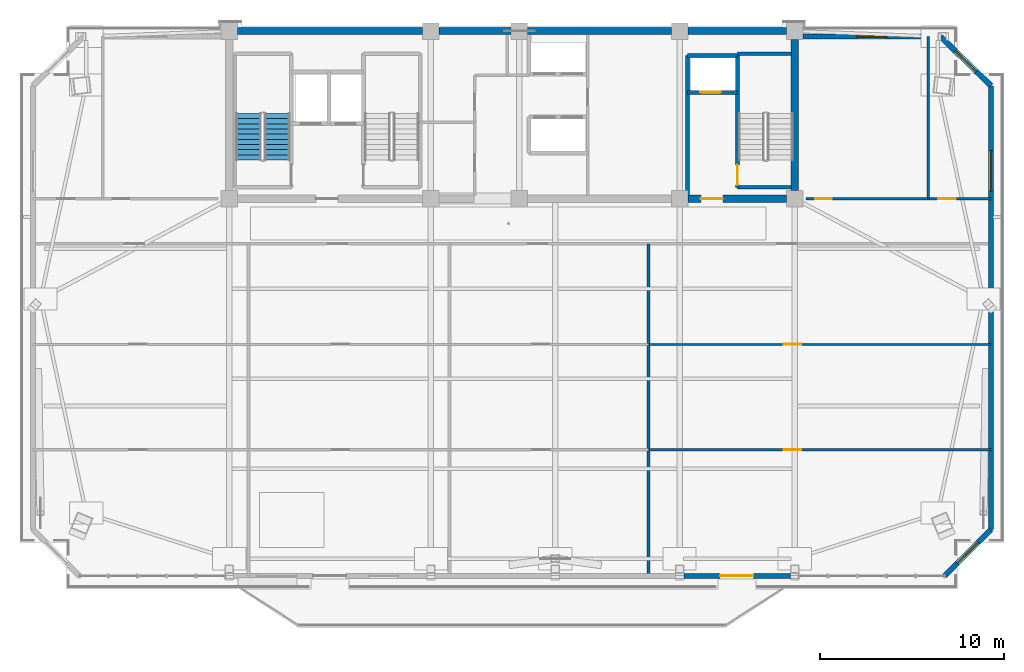
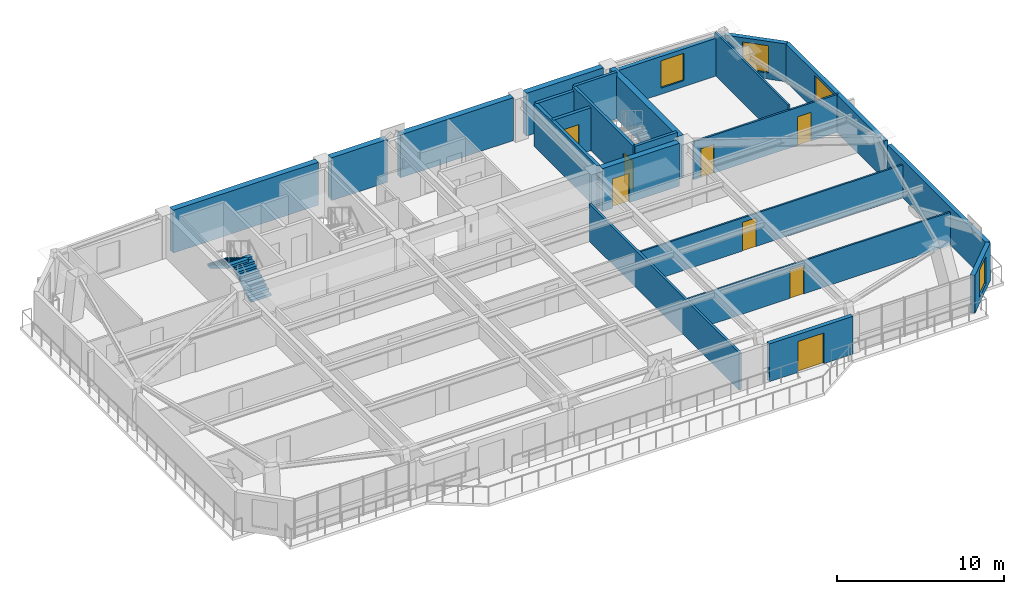
# One storey, part 10 of 15: 23 walls, 8 doors, 4 windows, 2 stair flights, 12 openings, 1 element without a shape of its own.
"""IFC4 building model written with IfcOpenShell, lengths in metres."""

from ifc_helpers import new_model, si_unit, direction, frame, frame_2d, origin, place, context, subcontext, project, spatial, polyline, rectangle, outline, extrude, source, transform, mapped, material, layer, layer_set, type_object, element, fill, aggregate, save


model = new_model("IFC4")

# Units and contexts
model_context = context("Model", 3, precision=1e-05, world=origin(), true_north=direction((0.0, 1.0)))
body_context = subcontext(model_context, "Body", "Model", "MODEL_VIEW")
ifc_project = project(units=[si_unit("LENGTHUNIT", "METRE"), si_unit("AREAUNIT", "SQUARE_METRE"), si_unit("VOLUMEUNIT", "CUBIC_METRE"), si_unit("PLANEANGLEUNIT", "RADIAN"), si_unit("MASSUNIT", "GRAM", prefix="KILO")], contexts=[model_context])

# Site, building, storey
site_placement = place(None, origin())
site = spatial("IfcSite", under=ifc_project, at=site_placement, CompositionType="ELEMENT")
building_placement = place(site_placement, origin())
building = spatial("IfcBuilding", under=site, at=building_placement, Name="Giltprow Tower", CompositionType="ELEMENT")
storey_placement = place(building_placement, frame((0.0, 0.0, 275.699951171875)))
storey = spatial("IfcBuildingStorey", under=building, at=storey_placement, Name="L71", CompositionType="ELEMENT", Elevation=275.699951171875)

# Wall, opening, window
ifc_material_1 = material(Name="Precast concrete C40", Category="concrete")
ifc_layer_1 = layer(ifc_material_1, 0.300048828125, Name="Precast concrete C40")
ifc_layer_set_1 = layer_set([ifc_layer_1], Name="Precast concrete C40")
wall_type_1 = type_object("IfcWallType", Name="EW-NOTCH-CHAMFER-300", PredefinedType="SOLIDWALL", material=ifc_layer_set_1)
wall_1_placement = place(storey_placement, frame((58.68408203125, 16.97607421875, 0.0), z_axis=(0.0, 0.0, 1.0), x_axis=(0.707106781187, 0.707106781187, 0.0)))
wall_1 = element("IfcWall", 1, at=wall_1_placement, inside=storey, type_object=wall_type_1, Name="L71 Corner Notch Wall SE", PredefinedType="SOLIDWALL", context=body_context, shape_type="SweptSolid", body=[
    extrude(rectangle(XDim=3.56787109375, YDim=0.300048828125, at=frame_2d((1.783935546875, 0.0))), origin(), (0.0, 0.0, 1.0), 2.77001953125),
])
opening_1_placement = place(wall_1_placement, frame((0.98388671875, 0.0, 0.449951171875)))
opening_1 = element("IfcOpeningElement", 2, at=opening_1_placement, cuts=wall_1, Name="Opening WN17", PredefinedType="OPENING", context=body_context, shape_type="SweptSolid", body=[
    extrude(rectangle(XDim=1.60009765625, YDim=2.0, at=frame_2d((0.800048828125, 1.0))), frame((0.0, 0.159912109375, 0.0), z_axis=(0.0, -1.0, 0.0), x_axis=(1.0, 0.0, 0.0)), (0.0, 0.0, 1.0), 0.320068359375),
])
ifc_material_2 = material(Name="Insulated glass", Category="glass")
window_type_1 = type_object("IfcWindowType", Name="WN-COR-1600x2000", PartitioningType="SINGLE_PANEL", PredefinedType="WINDOW", material=ifc_material_2)
shared_shape_1 = source(origin(), body_context, "Body", "SweptSolid", [
    extrude(rectangle(XDim=1.60009765625, YDim=2.0, at=frame_2d((0.800048828125, 1.0))), frame((0.0, 0.030029296875, 0.0), z_axis=(0.0, -1.0, 0.0), x_axis=(1.0, 0.0, 0.0)), (0.0, 0.0, 1.0), 0.06005859375),
])
window_1_placement = place(opening_1_placement, origin())
window_1 = element("IfcWindow", 3, at=window_1_placement, inside=storey, type_object=window_type_1, Name="L71 Corner Notch Window SE", OverallHeight=2.0, OverallWidth=1.60009765625, PartitioningType="SINGLE_PANEL", PredefinedType="WINDOW", context=body_context, shape_type="MappedRepresentation", body=[
    mapped(shared_shape_1, transform((0.0, 0.0, 0.0), x_axis=(1.0, 0.0, 0.0), y_axis=(0.0, 1.0, 0.0), z_axis=(0.0, 0.0, 1.0), scale=1.0)),
])
fill(opening_1, window_1)

wall_2_placement = place(storey_placement, frame((61.20703125, 43.576904296875, 0.0), z_axis=(0.0, 0.0, 1.0), x_axis=(-0.716814531551, 0.697263886457, 0.0)))
wall_2 = element("IfcWall", 4, at=wall_2_placement, inside=storey, type_object=wall_type_1, Name="L71 Corner Notch Wall NE", PredefinedType="SOLIDWALL", context=body_context, shape_type="SweptSolid", body=[
    extrude(rectangle(XDim=3.833740234375, YDim=0.300048828125, at=frame_2d((1.9169921875, 0.0))), origin(), (0.0, 0.0, 1.0), 2.77001953125),
])
opening_2_placement = place(wall_2_placement, frame((1.116943359375, 0.0, 0.449951171875)))
opening_2 = element("IfcOpeningElement", 5, at=opening_2_placement, cuts=wall_2, Name="Opening WN17", PredefinedType="OPENING", context=body_context, shape_type="SweptSolid", body=[
    extrude(rectangle(XDim=1.60009765625, YDim=2.0, at=frame_2d((0.800048828125, 1.0))), frame((0.0, 0.159912109375, 0.0), z_axis=(0.0, -1.0, 0.0), x_axis=(1.0, 0.0, 0.0)), (0.0, 0.0, 1.0), 0.320068359375),
])
window_2_placement = place(opening_2_placement, origin())
window_2 = element("IfcWindow", 6, at=window_2_placement, inside=storey, type_object=window_type_1, Name="L71 Corner Notch Window NE", OverallHeight=2.0, OverallWidth=1.60009765625, PartitioningType="SINGLE_PANEL", PredefinedType="WINDOW", context=body_context, shape_type="MappedRepresentation", body=[
    mapped(shared_shape_1, transform((0.0, 0.0, 0.0), x_axis=(1.0, 0.0, 0.0), y_axis=(0.0, 1.0, 0.0), z_axis=(0.0, 0.0, 1.0), scale=1.0)),
])
fill(opening_2, window_2)

# Wall, opening, door
ifc_layer_2 = layer(ifc_material_1, 0.280029296875, Name="Precast concrete C40")
ifc_layer_set_2 = layer_set([ifc_layer_2], Name="Precast concrete C40")
wall_type_2 = type_object("IfcWallType", Name="EW-TOW-BRONZE-280", PredefinedType="SOLIDWALL", material=ifc_layer_set_2)
wall_3_placement = place(storey_placement, frame((44.52490234375, 16.97607421875, 0.0), z_axis=(0.0, 0.0, 1.0), x_axis=(1.0, 0.0, 0.0)))
wall_3 = element("IfcWall", 7, at=wall_3_placement, inside=storey, type_object=wall_type_2, Name="L71 South Expressed Frame Wall 5", PredefinedType="SOLIDWALL", context=body_context, shape_type="SweptSolid", body=[
    extrude(rectangle(XDim=5.800048828125, YDim=0.280029296875, at=frame_2d((2.89990234375, 0.0))), origin(), (0.0, 0.0, 1.0), 2.77001953125),
])
opening_3_placement = place(wall_3_placement, frame((1.97509765625, 0.0, 0.0)))
opening_3 = element("IfcOpeningElement", 8, at=opening_3_placement, cuts=wall_3, Name="Opening ED25", PredefinedType="OPENING", context=body_context, shape_type="SweptSolid", body=[
    extrude(rectangle(XDim=1.800048828125, YDim=2.25, at=frame_2d((0.89990234375, 1.125))), frame((0.0, 0.14990234375, 0.0), z_axis=(0.0, -1.0, 0.0), x_axis=(1.0, 0.0, 0.0)), (0.0, 0.0, 1.0), 0.300048828125),
])
ifc_material_3 = material(Name="Anodized bronze and glass", Category="glass")
door_type_1 = type_object("IfcDoorType", Name="DR-BALC-SLIDE-1800", OperationType="SLIDING_TO_LEFT", PredefinedType="DOOR", material=ifc_material_3)
shared_shape_2 = source(origin(), body_context, "Body", "SweptSolid", [
    extrude(rectangle(XDim=1.800048828125, YDim=2.25, at=frame_2d((0.89990234375, 1.125))), frame((0.0, 0.02490234375, 0.0), z_axis=(0.0, -1.0, 0.0), x_axis=(1.0, 0.0, 0.0)), (0.0, 0.0, 1.0), 0.050048828125),
])
door_1_placement = place(opening_3_placement, origin())
door_1 = element("IfcDoor", 9, at=door_1_placement, inside=storey, type_object=door_type_1, Name="L71 Waterfront Balcony Sliding Door 2", OperationType="SLIDING_TO_LEFT", OverallHeight=2.25, OverallWidth=1.800048828125, PredefinedType="DOOR", context=body_context, shape_type="MappedRepresentation", body=[
    mapped(shared_shape_2, transform((0.0, 0.0, 0.0), x_axis=(1.0, 0.0, 0.0), y_axis=(0.0, 1.0, 0.0), z_axis=(0.0, 0.0, 1.0), scale=1.0)),
])
fill(opening_3, door_1)

# Wall
wall_4_placement = place(storey_placement, frame((61.20703125, 19.4990234375, 0.0), z_axis=(0.0, 0.0, 1.0), x_axis=(0.0, 1.0, 0.0)))
element("IfcWall", 10, at=wall_4_placement, inside=storey, type_object=wall_type_2, Name="L71 E Wing Masonry Wall 1", PredefinedType="SOLIDWALL", context=body_context, shape_type="SweptSolid", body=[
    extrude(rectangle(XDim=11.81396484375, YDim=0.280029296875, at=frame_2d((5.906982421875, 0.0))), origin(), (0.0, 0.0, 1.0), 2.77001953125),
])

# Wall, opening, window
wall_5_placement = place(storey_placement, frame((61.20703125, 31.762939453125, 0.0), z_axis=(0.0, 0.0, 1.0), x_axis=(0.0, 1.0, 0.0)))
wall_5 = element("IfcWall", 11, at=wall_5_placement, inside=storey, type_object=wall_type_2, Name="L71 E Wing Masonry Wall 2", PredefinedType="SOLIDWALL", context=body_context, shape_type="SweptSolid", body=[
    extrude(rectangle(XDim=11.81396484375, YDim=0.280029296875, at=frame_2d((5.906982421875, 0.0))), origin(), (0.0, 0.0, 1.0), 2.77001953125),
])
opening_4_placement = place(wall_5_placement, frame((6.092041015625, 0.0, 0.449951171875)))
opening_4 = element("IfcOpeningElement", 12, at=opening_4_placement, cuts=wall_5, Name="Opening WN27", PredefinedType="OPENING", context=body_context, shape_type="SweptSolid", body=[
    extrude(rectangle(XDim=2.199951171875, YDim=2.10009765625, at=frame_2d((1.10009765625, 1.050048828125))), frame((0.0, 0.14990234375, 0.0), z_axis=(0.0, -1.0, 0.0), x_axis=(1.0, 0.0, 0.0)), (0.0, 0.0, 1.0), 0.300048828125),
])
window_type_2 = type_object("IfcWindowType", Name="WN-RES-2200x2100", PartitioningType="TRIPLE_PANEL_VERTICAL", PredefinedType="WINDOW", material=ifc_material_2)
shared_shape_3 = source(origin(), body_context, "Body", "SweptSolid", [
    extrude(rectangle(XDim=2.199951171875, YDim=2.10009765625, at=frame_2d((1.10009765625, 1.050048828125))), frame((0.0, 0.030029296875, 0.0), z_axis=(0.0, -1.0, 0.0), x_axis=(1.0, 0.0, 0.0)), (0.0, 0.0, 1.0), 0.06005859375),
])
window_3_placement = place(opening_4_placement, origin())
window_3 = element("IfcWindow", 13, at=window_3_placement, inside=storey, type_object=window_type_2, Name="L71 E Wing Window 2-1", OverallHeight=2.10009765625, OverallWidth=2.199951171875, PartitioningType="SINGLE_PANEL", PredefinedType="WINDOW", context=body_context, shape_type="MappedRepresentation", body=[
    mapped(shared_shape_3, transform((0.0, 0.0, 0.0), x_axis=(1.0, 0.0, 0.0), y_axis=(0.0, 1.0, 0.0), z_axis=(0.0, 0.0, 1.0), scale=1.0)),
])
fill(opening_4, window_3)

wall_6_placement = place(storey_placement, frame((51.0, 46.25, 0.0), z_axis=(0.0, 0.0, 1.0), x_axis=(1.0, 0.0, 0.0)))
wall_6 = element("IfcWall", 14, at=wall_6_placement, inside=storey, type_object=wall_type_2, Name="L71 North-East Wing Wall", PredefinedType="SOLIDWALL", context=body_context, shape_type="SweptSolid", body=[
    extrude(rectangle(XDim=7.458984375, YDim=0.280029296875, at=frame_2d((3.7294921875, 0.0))), origin(), (0.0, 0.0, 1.0), 2.77001953125),
])
opening_5_placement = place(wall_6_placement, frame((2.929931640625, 0.0, 0.449951171875)))
opening_5 = element("IfcOpeningElement", 15, at=opening_5_placement, cuts=wall_6, Name="Opening WN17", PredefinedType="OPENING", context=body_context, shape_type="SweptSolid", body=[
    extrude(rectangle(XDim=1.60009765625, YDim=2.0, at=frame_2d((0.800048828125, 1.0))), frame((0.0, 0.14990234375, 0.0), z_axis=(0.0, -1.0, 0.0), x_axis=(1.0, 0.0, 0.0)), (0.0, 0.0, 1.0), 0.300048828125),
])
window_4_placement = place(opening_5_placement, origin())
window_4 = element("IfcWindow", 16, at=window_4_placement, inside=storey, type_object=window_type_1, Name="L71 North-East Window", OverallHeight=2.0, OverallWidth=1.60009765625, PartitioningType="SINGLE_PANEL", PredefinedType="WINDOW", context=body_context, shape_type="MappedRepresentation", body=[
    mapped(shared_shape_1, transform((0.0, 0.0, 0.0), x_axis=(1.0, 0.0, 0.0), y_axis=(0.0, 1.0, 0.0), z_axis=(0.0, 0.0, 1.0), scale=1.0)),
])
fill(opening_5, window_4)

# Wall
ifc_material_4 = material(Name="Gypsum stud partition", Category="gypsum")
ifc_layer_3 = layer(ifc_material_4, 0.159912109375, Name="Gypsum stud partition")
ifc_layer_set_3 = layer_set([ifc_layer_3], Name="Gypsum stud partition")
wall_type_3 = type_object("IfcWallType", Name="IW-DEMISE-160", PredefinedType="PARTITIONING", material=ifc_layer_set_3)
wall_7_placement = place(storey_placement, frame((42.60009765625, 16.97607421875, 0.0), z_axis=(0.0, 0.0, 1.0), x_axis=(0.0, 1.0, 0.0)))
element("IfcWall", 17, at=wall_7_placement, inside=storey, type_object=wall_type_3, Name="L71 Apartment Party Wall 3", PredefinedType="PARTITIONING", context=body_context, shape_type="SweptSolid", body=[
    extrude(rectangle(XDim=18.02392578125, YDim=0.159912109375, at=frame_2d((9.011962890625, 0.0))), origin(), (0.0, 0.0, 1.0), 2.72509765625),
])

# Wall, opening, door
ifc_layer_4 = layer(ifc_material_4, 0.1201171875, Name="Gypsum stud partition")
ifc_layer_set_4 = layer_set([ifc_layer_4], Name="Gypsum stud partition")
wall_type_4 = type_object("IfcWallType", Name="IW-ROOM-120", PredefinedType="PARTITIONING", material=ifc_layer_set_4)
wall_8_placement = place(storey_placement, frame((42.60009765625, 23.823974609375, 0.0), z_axis=(0.0, 0.0, 1.0), x_axis=(1.0, 0.0, 0.0)))
wall_8 = element("IfcWall", 18, at=wall_8_placement, inside=storey, type_object=wall_type_4, Name="L71 Special Split 1", PredefinedType="PARTITIONING", context=body_context, shape_type="SweptSolid", body=[
    extrude(rectangle(XDim=18.60693359375, YDim=0.1201171875, at=frame_2d((9.303466796875, 0.0))), origin(), (0.0, 0.0, 1.0), 2.425048828125),
])
opening_6_placement = place(wall_8_placement, frame((7.362060546875, 0.0, 0.0)))
opening_6 = element("IfcOpeningElement", 19, at=opening_6_placement, cuts=wall_8, Name="Opening ID11", PredefinedType="OPENING", context=body_context, shape_type="SweptSolid", body=[
    extrude(rectangle(XDim=0.949951171875, YDim=2.10009765625, at=frame_2d((0.47509765625, 1.050048828125))), frame((0.0, 0.070068359375, 0.0), z_axis=(0.0, -1.0, 0.0), x_axis=(1.0, 0.0, 0.0)), (0.0, 0.0, 1.0), 0.14013671875),
])
ifc_material_5 = material(Name="Engineered timber", Category="wood")
door_type_2 = type_object("IfcDoorType", Name="DR-ROOM-950", OperationType="SINGLE_SWING_RIGHT", PredefinedType="DOOR", material=ifc_material_5)
shared_shape_4 = source(origin(), body_context, "Body", "SweptSolid", [
    extrude(rectangle(XDim=0.949951171875, YDim=2.10009765625, at=frame_2d((0.47509765625, 1.050048828125))), frame((0.0, 0.02490234375, 0.0), z_axis=(0.0, -1.0, 0.0), x_axis=(1.0, 0.0, 0.0)), (0.0, 0.0, 1.0), 0.050048828125),
])
door_2_placement = place(opening_6_placement, origin())
door_2 = element("IfcDoor", 20, at=door_2_placement, inside=storey, type_object=door_type_2, Name="L71 Valet Trunk Store 2 South Door", OperationType="SINGLE_SWING_LEFT", OverallHeight=2.10009765625, OverallWidth=0.949951171875, PredefinedType="DOOR", context=body_context, shape_type="MappedRepresentation", body=[
    mapped(shared_shape_4, transform((0.0, 0.0, 0.0), x_axis=(1.0, 0.0, 0.0), y_axis=(0.0, 1.0, 0.0), z_axis=(0.0, 0.0, 1.0), scale=1.0)),
])
fill(opening_6, door_2)

wall_9_placement = place(storey_placement, frame((42.60009765625, 29.5400390625, 0.0), z_axis=(0.0, 0.0, 1.0), x_axis=(1.0, 0.0, 0.0)))
wall_9 = element("IfcWall", 21, at=wall_9_placement, inside=storey, type_object=wall_type_4, Name="L71 Special Split 2", PredefinedType="PARTITIONING", context=body_context, shape_type="SweptSolid", body=[
    extrude(rectangle(XDim=18.60693359375, YDim=0.1201171875, at=frame_2d((9.303466796875, 0.0))), origin(), (0.0, 0.0, 1.0), 2.425048828125),
])
opening_7_placement = place(wall_9_placement, frame((7.362060546875, 0.0, 0.0)))
opening_7 = element("IfcOpeningElement", 22, at=opening_7_placement, cuts=wall_9, Name="Opening ID11", PredefinedType="OPENING", context=body_context, shape_type="SweptSolid", body=[
    extrude(rectangle(XDim=0.949951171875, YDim=2.10009765625, at=frame_2d((0.47509765625, 1.050048828125))), frame((0.0, 0.070068359375, 0.0), z_axis=(0.0, -1.0, 0.0), x_axis=(1.0, 0.0, 0.0)), (0.0, 0.0, 1.0), 0.14013671875),
])
door_3_placement = place(opening_7_placement, origin())
door_3 = element("IfcDoor", 23, at=door_3_placement, inside=storey, type_object=door_type_2, Name="L71 Valet Trunk Store 2 Mid Door", OperationType="SINGLE_SWING_RIGHT", OverallHeight=2.10009765625, OverallWidth=0.949951171875, PredefinedType="DOOR", context=body_context, shape_type="MappedRepresentation", body=[
    mapped(shared_shape_4, transform((0.0, 0.0, 0.0), x_axis=(1.0, 0.0, 0.0), y_axis=(0.0, 1.0, 0.0), z_axis=(0.0, 0.0, 1.0), scale=1.0)),
])
fill(opening_7, door_3)

ifc_material_6 = material(Name="Concrete C40", Category="concrete")
ifc_layer_5 = layer(ifc_material_6, 0.219970703125, Name="Concrete C40")
ifc_layer_set_5 = layer_set([ifc_layer_5], Name="Concrete C40")
wall_type_5 = type_object("IfcWallType", Name="IW-SHAFT-220", PredefinedType="SOLIDWALL", material=ifc_layer_set_5)
wall_10_placement = place(storey_placement, frame((44.719970703125, 43.219970703125, 0.0), z_axis=(0.0, 0.0, 1.0), x_axis=(1.0, 0.0, 0.0)))
wall_10 = element("IfcWall", 24, at=wall_10_placement, inside=storey, type_object=wall_type_5, Name="L71 FFL2 Front Shaft Wall", PredefinedType="SOLIDWALL", context=body_context, shape_type="SweptSolid", body=[
    extrude(rectangle(XDim=2.719970703125, YDim=0.219970703125, at=frame_2d((1.35986328125, 0.0))), origin(), (0.0, 0.0, 1.0), 3.14013671875),
])
opening_8_placement = place(wall_10_placement, frame((0.699951171875, 0.0, 0.0)))
opening_8 = element("IfcOpeningElement", 25, at=opening_8_placement, cuts=wall_10, Name="Opening LD-11", PredefinedType="OPENING", context=body_context, shape_type="SweptSolid", body=[
    extrude(rectangle(XDim=1.10009765625, YDim=2.199951171875, at=frame_2d((0.550048828125, 1.10009765625))), frame((0.0, 0.119873046875, 0.0), z_axis=(0.0, -1.0, 0.0), x_axis=(1.0, 0.0, 0.0)), (0.0, 0.0, 1.0), 0.239990234375),
])
ifc_material_7 = material(Name="Stainless steel", Category="steel")
door_type_3 = type_object("IfcDoorType", Name="DR-LIFT-LD1100", OperationType="SLIDING_TO_LEFT", PredefinedType="DOOR", material=ifc_material_7)
shared_shape_5 = source(origin(), body_context, "Body", "SweptSolid", [
    extrude(rectangle(XDim=1.10009765625, YDim=2.199951171875, at=frame_2d((0.550048828125, 1.10009765625))), frame((0.0, 0.02490234375, 0.0), z_axis=(0.0, -1.0, 0.0), x_axis=(1.0, 0.0, 0.0)), (0.0, 0.0, 1.0), 0.050048828125),
])
door_4_placement = place(opening_8_placement, origin())
door_4 = element("IfcDoor", 26, at=door_4_placement, inside=storey, type_object=door_type_3, Name="L71 FFL2 Landing Door", OperationType="SLIDING_TO_LEFT", OverallHeight=2.199951171875, OverallWidth=1.10009765625, PredefinedType="DOOR", context=body_context, shape_type="MappedRepresentation", body=[
    mapped(shared_shape_5, transform((0.0, 0.0, 0.0), x_axis=(1.0, 0.0, 0.0), y_axis=(0.0, 1.0, 0.0), z_axis=(0.0, 0.0, 1.0), scale=1.0)),
])
fill(opening_8, door_4)

# Walls
wall_11_placement = place(storey_placement, frame((44.719970703125, 45.219970703125, 0.0), z_axis=(0.0, 0.0, 1.0), x_axis=(1.0, 0.0, 0.0)))
element("IfcWall", 27, at=wall_11_placement, inside=storey, type_object=wall_type_5, Name="L71 FFL2 Back Shaft Wall", PredefinedType="SOLIDWALL", context=body_context, shape_type="SweptSolid", body=[
    extrude(rectangle(XDim=2.719970703125, YDim=0.219970703125, at=frame_2d((1.35986328125, 0.0))), origin(), (0.0, 0.0, 1.0), 3.14013671875),
])
wall_12_placement = place(storey_placement, frame((44.719970703125, 37.6298828125, 0.0), z_axis=(0.0, 0.0, 1.0), x_axis=(0.0, 1.0, 0.0)))
element("IfcWall", 28, at=wall_12_placement, inside=storey, type_object=wall_type_5, Name="L71 East Firefighting Lobby West Wall", PredefinedType="SOLIDWALL", context=body_context, shape_type="SweptSolid", body=[
    extrude(rectangle(XDim=7.590087890625, YDim=0.219970703125, at=frame_2d((3.794921875, 0.0))), origin(), (0.0, 0.0, 1.0), 3.14013671875),
])

# Wall, opening, door
ifc_layer_6 = layer(ifc_material_6, 0.199951171875, Name="Concrete C40")
ifc_layer_set_6 = layer_set([ifc_layer_6], Name="Concrete C40")
wall_type_6 = type_object("IfcWallType", Name="IW-STAIR-200", PredefinedType="SOLIDWALL", material=ifc_layer_set_6)
wall_13_placement = place(storey_placement, frame((47.43994140625, 38.070068359375, 0.0), z_axis=(0.0, 0.0, 1.0), x_axis=(0.0, 1.0, 0.0)))
wall_13 = element("IfcWall", 29, at=wall_13_placement, inside=storey, type_object=wall_type_6, Name="L71 Stair ST-3 West Bearing Wall", PredefinedType="SOLIDWALL", context=body_context, shape_type="SweptSolid", body=[
    extrude(rectangle(XDim=7.25, YDim=0.199951171875, at=frame_2d((3.625, 0.0))), origin(), (0.0, 0.0, 1.0), 3.400146484375),
])
opening_9_placement = place(wall_13_placement, frame((0.110107421875, 0.0, 0.0)))
opening_9 = element("IfcOpeningElement", 30, at=opening_9_placement, cuts=wall_13, Name="Opening ID33", PredefinedType="OPENING", context=body_context, shape_type="SweptSolid", body=[
    extrude(rectangle(XDim=1.10009765625, YDim=2.14990234375, at=frame_2d((0.550048828125, 1.074951171875))), frame((0.0, 0.10986328125, 0.0), z_axis=(0.0, -1.0, 0.0), x_axis=(1.0, 0.0, 0.0)), (0.0, 0.0, 1.0), 0.219970703125),
])
ifc_material_8 = material(Name="Steel fire leaf", Category="steel")
door_type_4 = type_object("IfcDoorType", Name="DR-STAIR-1100", OperationType="SINGLE_SWING_LEFT", PredefinedType="DOOR", material=ifc_material_8)
shared_shape_6 = source(origin(), body_context, "Body", "SweptSolid", [
    extrude(rectangle(XDim=1.10009765625, YDim=2.14990234375, at=frame_2d((0.550048828125, 1.074951171875))), frame((0.0, 0.02490234375, 0.0), z_axis=(0.0, -1.0, 0.0), x_axis=(1.0, 0.0, 0.0)), (0.0, 0.0, 1.0), 0.050048828125),
])
door_5_placement = place(opening_9_placement, origin())
door_5 = element("IfcDoor", 31, at=door_5_placement, inside=storey, type_object=door_type_4, Name="L71 Stair ST-3 Fire Door", OperationType="SINGLE_SWING_RIGHT", OverallHeight=2.14990234375, OverallWidth=1.10009765625, PredefinedType="DOOR", context=body_context, shape_type="MappedRepresentation", body=[
    mapped(shared_shape_6, transform((0.0, 0.0, 0.0), x_axis=(1.0, 0.0, 0.0), y_axis=(0.0, 1.0, 0.0), z_axis=(0.0, 0.0, 1.0), scale=1.0)),
])
fill(opening_9, door_5)

# Walls
for number, where, z_axis, x_axis, name in (
    (32, (47.43994140625, 45.320068359375, 0.0), (0.0, 0.0, 1.0), (1.0, 0.0, 0.0), "L71 Stair ST-3 North Bearing Wall"),
    (33, (47.43994140625, 38.070068359375, 0.0), (0.0, 0.0, 1.0), (1.0, 0.0, 0.0), "L71 Stair ST-3 South Bearing Wall"),
):
    element("IfcWall", number, at=place(storey_placement, frame(where, z_axis=z_axis, x_axis=x_axis)), inside=storey, type_object=wall_type_6, Name=name, PredefinedType="SOLIDWALL", context=body_context, shape_type="SweptSolid", body=[
        extrude(rectangle(XDim=2.93017578125, YDim=0.199951171875, at=frame_2d((1.465087890625, 0.0))), origin(), (0.0, 0.0, 1.0), 3.400146484375),
    ])

# Wall, openings, doors
ifc_material_9 = material(Name="Concrete C30", Category="concrete")
ifc_layer_7 = layer(ifc_material_9, 0.1298828125, Name="Concrete C30")
ifc_layer_set_7 = layer_set([ifc_layer_7], Name="Concrete C30")
wall_type_7 = type_object("IfcWallType", Name="IW-WET-130", PredefinedType="PARTITIONING", material=ifc_layer_set_7)
wall_14_placement = place(storey_placement, frame((51.14990234375, 37.449951171875, 0.0), z_axis=(0.0, 0.0, 1.0), x_axis=(1.0, 0.0, 0.0)))
wall_14 = element("IfcWall", 34, at=wall_14_placement, inside=storey, type_object=wall_type_7, Name="L71 NE Wing South Wall", PredefinedType="PARTITIONING", context=body_context, shape_type="SweptSolid", body=[
    extrude(rectangle(XDim=10.05712890625, YDim=0.1298828125, at=frame_2d((5.028564453125, 0.0))), origin(), (0.0, 0.0, 1.0), 2.775146484375),
])
opening_10_placement = place(wall_14_placement, frame((0.5, 0.0, 0.0)))
opening_10 = element("IfcOpeningElement", 35, at=opening_10_placement, cuts=wall_14, Name="Opening ID15", PredefinedType="OPENING", context=body_context, shape_type="SweptSolid", body=[
    extrude(rectangle(XDim=0.89990234375, YDim=2.10009765625, at=frame_2d((0.449951171875, 1.050048828125))), frame((0.0, 0.074951171875, 0.0), z_axis=(0.0, -1.0, 0.0), x_axis=(1.0, 0.0, 0.0)), (0.0, 0.0, 1.0), 0.14990234375),
])
opening_11_placement = place(wall_14_placement, frame((7.18896484375, 0.0, 0.0)))
opening_11 = element("IfcOpeningElement", 36, at=opening_11_placement, cuts=wall_14, Name="Opening ID11", PredefinedType="OPENING", context=body_context, shape_type="SweptSolid", body=[
    extrude(rectangle(XDim=0.949951171875, YDim=2.10009765625, at=frame_2d((0.47509765625, 1.050048828125))), frame((0.0, 0.074951171875, 0.0), z_axis=(0.0, -1.0, 0.0), x_axis=(1.0, 0.0, 0.0)), (0.0, 0.0, 1.0), 0.14990234375),
])
door_type_5 = type_object("IfcDoorType", Name="DR-WC-900", OperationType="SINGLE_SWING_LEFT", PredefinedType="DOOR", material=ifc_material_5)
shared_shape_7 = source(origin(), body_context, "Body", "SweptSolid", [
    extrude(rectangle(XDim=0.89990234375, YDim=2.10009765625, at=frame_2d((0.449951171875, 1.050048828125))), frame((0.0, 0.02490234375, 0.0), z_axis=(0.0, -1.0, 0.0), x_axis=(1.0, 0.0, 0.0)), (0.0, 0.0, 1.0), 0.050048828125),
])
door_6_placement = place(opening_10_placement, origin())
door_6 = element("IfcDoor", 37, at=door_6_placement, inside=storey, type_object=door_type_5, Name="L71 East Wing Washroom Door", OperationType="SINGLE_SWING_RIGHT", OverallHeight=2.10009765625, OverallWidth=0.89990234375, PredefinedType="DOOR", context=body_context, shape_type="MappedRepresentation", body=[
    mapped(shared_shape_7, transform((0.0, 0.0, 0.0), x_axis=(1.0, 0.0, 0.0), y_axis=(0.0, 1.0, 0.0), z_axis=(0.0, 0.0, 1.0), scale=1.0)),
])
fill(opening_10, door_6)
door_7_placement = place(opening_11_placement, origin())
door_7 = element("IfcDoor", 38, at=door_7_placement, inside=storey, type_object=door_type_2, Name="L71 Residents Reading Lounge Door", OperationType="SINGLE_SWING_LEFT", OverallHeight=2.10009765625, OverallWidth=0.949951171875, PredefinedType="DOOR", context=body_context, shape_type="MappedRepresentation", body=[
    mapped(shared_shape_4, transform((0.0, 0.0, 0.0), x_axis=(1.0, 0.0, 0.0), y_axis=(0.0, 1.0, 0.0), z_axis=(0.0, 0.0, 1.0), scale=1.0)),
])
fill(opening_11, door_7)

# Walls
wall_15_placement = place(storey_placement, frame((57.7890625, 37.449951171875, 0.0), z_axis=(0.0, 0.0, 1.0), x_axis=(0.0, 1.0, 0.0)))
element("IfcWall", 39, at=wall_15_placement, inside=storey, type_object=wall_type_7, Name="L71 NE Wing Divider", PredefinedType="PARTITIONING", context=body_context, shape_type="SweptSolid", body=[
    extrude(rectangle(XDim=8.800048828125, YDim=0.1298828125, at=frame_2d((4.39990234375, 0.0))), origin(), (0.0, 0.0, 1.0), 3.14013671875),
])
ifc_material_10 = material(Name="Concrete C45", Category="concrete")
ifc_layer_8 = layer(ifc_material_10, 0.39990234375, Name="Concrete C45")
ifc_layer_set_8 = layer_set([ifc_layer_8], Name="Concrete C45")
wall_type_8 = type_object("IfcWallType", Name="SW-EXT-400-C45", PredefinedType="SHEAR", material=ifc_layer_set_8)
wall_16_placement = place(storey_placement, frame((20.300048828125, 46.550048828125, 0.0), z_axis=(0.0, 0.0, 1.0), x_axis=(1.0, 0.0, 0.0)))
element("IfcWall", 40, at=wall_16_placement, inside=storey, type_object=wall_type_8, Name="L71 North Rear Core Shear Wall 1", PredefinedType="SHEAR", context=body_context, shape_type="SweptSolid", body=[
    extrude(rectangle(XDim=10.050048828125, YDim=0.39990234375, at=frame_2d((5.02490234375, 0.0))), origin(), (0.0, 0.0, 1.0), 3.14013671875),
])
wall_17_placement = place(storey_placement, frame((31.25, 46.550048828125, 0.0), z_axis=(0.0, 0.0, 1.0), x_axis=(1.0, 0.0, 0.0)))
element("IfcWall", 41, at=wall_17_placement, inside=storey, type_object=wall_type_8, Name="L71 North Rear Core Shear Wall 2", PredefinedType="SHEAR", context=body_context, shape_type="SweptSolid", body=[
    extrude(rectangle(XDim=3.89990234375, YDim=0.39990234375, at=frame_2d((1.949951171875, 0.0))), origin(), (0.0, 0.0, 1.0), 3.14013671875),
])
wall_18_placement = place(storey_placement, frame((36.050048828125, 46.550048828125, 0.0), z_axis=(0.0, 0.0, 1.0), x_axis=(1.0, 0.0, 0.0)))
element("IfcWall", 42, at=wall_18_placement, inside=storey, type_object=wall_type_8, Name="L71 North Rear Core Shear Wall 3", PredefinedType="SHEAR", context=body_context, shape_type="SweptSolid", body=[
    extrude(rectangle(XDim=7.800048828125, YDim=0.39990234375, at=frame_2d((3.89990234375, 0.0))), origin(), (0.0, 0.0, 1.0), 3.14013671875),
])
wall_19_placement = place(storey_placement, frame((44.75, 46.550048828125, 0.0), z_axis=(0.0, 0.0, 1.0), x_axis=(1.0, 0.0, 0.0)))
element("IfcWall", 43, at=wall_19_placement, inside=storey, type_object=wall_type_8, Name="L71 North Rear Core Shear Wall 4", PredefinedType="SHEAR", context=body_context, shape_type="SweptSolid", body=[
    extrude(rectangle(XDim=5.35009765625, YDim=0.39990234375, at=frame_2d((2.675048828125, 0.0))), origin(), (0.0, 0.0, 1.0), 3.14013671875),
])

# Wall, opening, door
ifc_layer_9 = layer(ifc_material_10, 0.39990234375, Name="Concrete C45")
ifc_layer_set_9 = layer_set([ifc_layer_9], Name="Concrete C45")
wall_type_9 = type_object("IfcWallType", Name="SW-INT-400-C45", PredefinedType="SHEAR", material=ifc_layer_set_9)
wall_20_placement = place(storey_placement, frame((44.75, 37.449951171875, 0.0), z_axis=(0.0, 0.0, 1.0), x_axis=(1.0, 0.0, 0.0)))
wall_20 = element("IfcWall", 44, at=wall_20_placement, inside=storey, type_object=wall_type_9, Name="L71 South Rear Core Shear Wall East", PredefinedType="SHEAR", context=body_context, shape_type="SweptSolid", body=[
    extrude(rectangle(XDim=5.35009765625, YDim=0.39990234375, at=frame_2d((2.675048828125, 0.0))), origin(), (0.0, 0.0, 1.0), 3.14013671875),
])
opening_12_placement = place(wall_20_placement, frame((0.699951171875, 0.0, 0.0)))
opening_12 = element("IfcOpeningElement", 45, at=opening_12_placement, cuts=wall_20, Name="Opening ID19", PredefinedType="OPENING", context=body_context, shape_type="SweptSolid", body=[
    extrude(rectangle(XDim=1.199951171875, YDim=2.14990234375, at=frame_2d((0.60009765625, 1.074951171875))), frame((0.0, 0.2099609375, 0.0), z_axis=(0.0, -1.0, 0.0), x_axis=(1.0, 0.0, 0.0)), (0.0, 0.0, 1.0), 0.419921875),
])
door_type_6 = type_object("IfcDoorType", Name="DR-FFLOBBY-1200", OperationType="SINGLE_SWING_RIGHT", PredefinedType="DOOR", material=ifc_material_8)
shared_shape_8 = source(origin(), body_context, "Body", "SweptSolid", [
    extrude(rectangle(XDim=1.199951171875, YDim=2.14990234375, at=frame_2d((0.60009765625, 1.074951171875))), frame((0.0, 0.02490234375, 0.0), z_axis=(0.0, -1.0, 0.0), x_axis=(1.0, 0.0, 0.0)), (0.0, 0.0, 1.0), 0.050048828125),
])
door_8_placement = place(opening_12_placement, origin())
door_8 = element("IfcDoor", 46, at=door_8_placement, inside=storey, type_object=door_type_6, Name="L71 East Firefighting Lobby Entry Door", OperationType="SINGLE_SWING_RIGHT", OverallHeight=2.14990234375, OverallWidth=1.199951171875, PredefinedType="DOOR", context=body_context, shape_type="MappedRepresentation", body=[
    mapped(shared_shape_8, transform((0.0, 0.0, 0.0), x_axis=(1.0, 0.0, 0.0), y_axis=(0.0, 1.0, 0.0), z_axis=(0.0, 0.0, 1.0), scale=1.0)),
])
fill(opening_12, door_8)

# Wall
wall_21_placement = place(storey_placement, frame((50.550048828125, 37.89990234375, 0.0), z_axis=(0.0, 0.0, 1.0), x_axis=(0.0, 1.0, 0.0)))
element("IfcWall", 47, at=wall_21_placement, inside=storey, type_object=wall_type_9, Name="L71 E Rear Core Shear Wall", PredefinedType="SHEAR", context=body_context, shape_type="SweptSolid", body=[
    extrude(rectangle(XDim=8.2001953125, YDim=0.39990234375, at=frame_2d((4.10009765625, 0.0))), origin(), (0.0, 0.0, 1.0), 3.14013671875),
])

# Stair, stair flights
stair_type = type_object("IfcStairType", Name="STR-ST-1", PredefinedType="HALF_TURN_STAIR", material=ifc_material_6)
stair_placement = place(storey_placement, origin())
stair = element("IfcStair", 48, at=stair_placement, inside=storey, type_object=stair_type, Name="L71 Core Exit Stair ST-1", PredefinedType="HALF_TURN_STAIR")
stair_flight_type = type_object("IfcStairFlightType", Name="SFL-ST-1", PredefinedType="STRAIGHT", material=ifc_material_6)
stair_flight_1_placement = place(storey_placement, frame((22.4599609375, 39.550048828125, 0.0), z_axis=(0.0, 0.0, 1.0), x_axis=(0.0, 1.0, 0.0)))
stair_flight_1 = element("IfcStairFlight", 49, at=stair_flight_1_placement, type_object=stair_flight_type, Name="ST-1 flight 1", NumberOfRisers=10, NumberOfTreads=9, PredefinedType="STRAIGHT", RiserHeight=0.17, TreadLength=0.28, context=body_context, shape_type="SweptSolid", body=[
    extrude(outline(polyline([(0.0, 0.0), (0.0, 0.169921875), (0.280029296875, 0.169921875), (0.280029296875, 0.340087890625), (0.56005859375, 0.340087890625), (0.56005859375, 0.510009765625), (0.840087890625, 0.510009765625), (0.840087890625, 0.679931640625), (1.1201171875, 0.679931640625), (1.1201171875, 0.85009765625), (1.39990234375, 0.85009765625), (1.39990234375, 1.02001953125), (1.679931640625, 1.02001953125), (1.679931640625, 1.18994140625), (1.9599609375, 1.18994140625), (1.9599609375, 1.360107421875), (2.239990234375, 1.360107421875), (2.239990234375, 1.530029296875), (2.52001953125, 1.530029296875), (2.52001953125, 1.699951171875), (2.52001953125, 1.354736328125), (0.288818359375, 0.0), (0.0, 0.0)])), frame((0.0, 0.699951171875, 0.0), z_axis=(0.0, -1.0, 0.0), x_axis=(1.0, 0.0, 0.0)), (0.0, 0.0, 1.0), 1.39990234375),
])
stair_flight_2_placement = place(storey_placement, frame((20.89990234375, 42.070068359375, 1.699951171875), z_axis=(0.0, 0.0, 1.0), x_axis=(0.0, -1.0, 0.0)))
stair_flight_2 = element("IfcStairFlight", 50, at=stair_flight_2_placement, type_object=stair_flight_type, Name="ST-1 flight 2", NumberOfRisers=10, NumberOfTreads=9, PredefinedType="STRAIGHT", RiserHeight=0.17, TreadLength=0.28, context=body_context, shape_type="SweptSolid", body=[
    extrude(outline(polyline([(0.0, 0.0), (0.0, 0.169921875), (0.280029296875, 0.169921875), (0.280029296875, 0.340087890625), (0.56005859375, 0.340087890625), (0.56005859375, 0.510009765625), (0.840087890625, 0.510009765625), (0.840087890625, 0.679931640625), (1.1201171875, 0.679931640625), (1.1201171875, 0.85009765625), (1.39990234375, 0.85009765625), (1.39990234375, 1.02001953125), (1.679931640625, 1.02001953125), (1.679931640625, 1.18994140625), (1.9599609375, 1.18994140625), (1.9599609375, 1.360107421875), (2.239990234375, 1.360107421875), (2.239990234375, 1.530029296875), (2.52001953125, 1.530029296875), (2.52001953125, 1.699951171875), (2.52001953125, 1.354736328125), (0.288818359375, 0.0), (0.0, 0.0)])), frame((0.0, 0.699951171875, 0.0), z_axis=(0.0, -1.0, 0.0), x_axis=(1.0, 0.0, 0.0)), (0.0, 0.0, 1.0), 1.39990234375),
])
aggregate(stair, [stair_flight_1, stair_flight_2])

save(model, "model.ifc")
